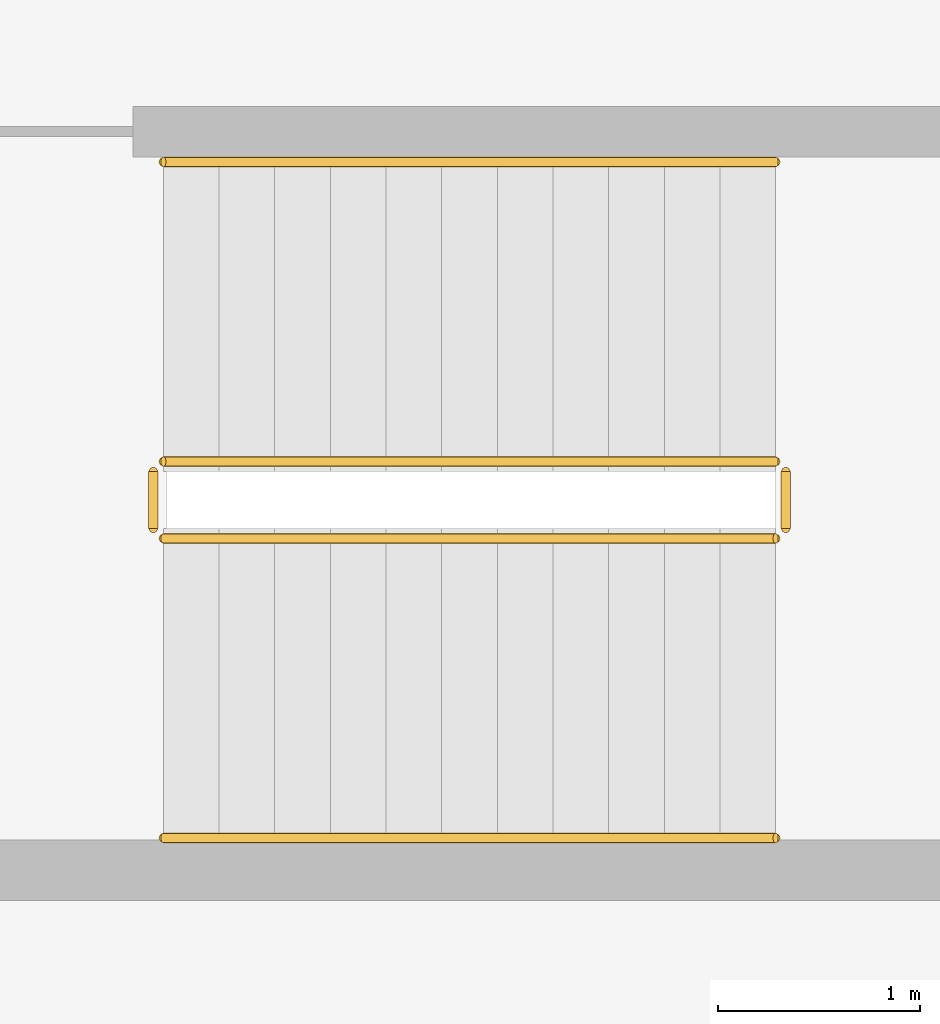
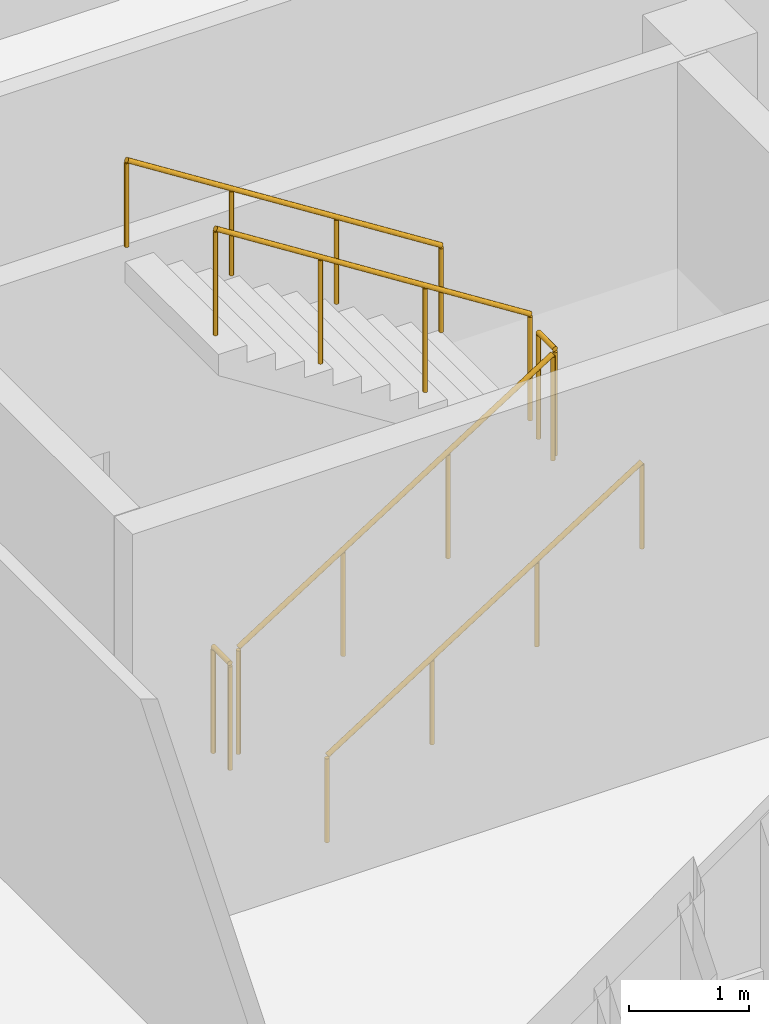
# One storey, part 82 of 83: 6 railings.
"""IFC4 building model written with IfcOpenShell, lengths in metres."""

from ifc_helpers import new_model, si_unit, direction, frame, origin, origin_2d, place, context, subcontext, project, spatial, circle, extrude, material, type_object, element, save


model = new_model("IFC4")

# Units and contexts
model_context = context("Model", 3, precision=1e-05, world=origin(), true_north=direction((0.0, 1.0)))
body_context = subcontext(model_context, "Body", "Model", "MODEL_VIEW")
ifc_project = project(units=[si_unit("LENGTHUNIT", "METRE"), si_unit("AREAUNIT", "SQUARE_METRE"), si_unit("VOLUMEUNIT", "CUBIC_METRE"), si_unit("PLANEANGLEUNIT", "RADIAN"), si_unit("MASSUNIT", "GRAM", prefix="KILO")], contexts=[model_context])

# Site, building, storey
site_placement = place(None, origin())
site = spatial("IfcSite", under=ifc_project, at=site_placement, CompositionType="ELEMENT")
building_placement = place(site_placement, origin())
building = spatial("IfcBuilding", under=site, at=building_placement, Name="Jelvoka-Kovrelna Polytechnic", CompositionType="ELEMENT")
storey_placement = place(building_placement, frame((0.0, 0.0, 13.800048828125)))
storey = spatial("IfcBuildingStorey", under=building, at=storey_placement, Name="L04", CompositionType="ELEMENT", Elevation=13.800048828125)

# Railings
ifc_material_1 = material(Name="Powder-coated steel stair guard", Category="steel")
railing_type_1 = type_object("IfcRailingType", Name="Railing_Stair_Guard_1100", PredefinedType="GUARDRAIL", material=ifc_material_1)
railing_1_placement = place(storey_placement, frame((122.25, 61.72998046875, 0.175048828125)))
element("IfcRailing", 1, at=railing_1_placement, inside=storey, type_object=railing_type_1, Name="L04 ST11 stair guard 1", PredefinedType="GUARDRAIL", context=body_context, shape_type="SweptSolid", body=[
    extrude(circle(Radius=0.02392578125, at=origin_2d()), frame((0.0, 0.0, 1.076171875), z_axis=(0.843678310415, 0.0, 0.536849055634), x_axis=(0.0, 1.0, 0.0)), (0.0, 0.0, 1.0), 3.58544921875),
    extrude(circle(Radius=0.02099609375, at=origin_2d()), origin(), (0.0, 0.0, 1.0), 1.052001953125),
    extrude(circle(Radius=0.02099609375, at=origin_2d()), frame((1.00830078125, 0.0, 0.6416015625)), (0.0, 0.0, 1.0), 1.052001953125),
    extrude(circle(Radius=0.02099609375, at=origin_2d()), frame((2.0166015625, 0.0, 1.283203125)), (0.0, 0.0, 1.0), 1.052001953125),
    extrude(circle(Radius=0.02099609375, at=origin_2d()), frame((3.02490234375, 0.0, 1.9248046875)), (0.0, 0.0, 1.0), 1.052001953125),
])
railing_2_placement = place(storey_placement, frame((125.324951171875, 61.780029296875, 2.099853515625)))
element("IfcRailing", 2, at=railing_2_placement, inside=storey, type_object=railing_type_1, Name="L04 ST11 stair guard 2", PredefinedType="GUARDRAIL", context=body_context, shape_type="SweptSolid", body=[
    extrude(circle(Radius=0.02392578125, at=origin_2d()), frame((0.0, 0.0, 1.076171875), z_axis=(0.0, 1.0, 0.0), x_axis=(-1.0, 0.0, 0.0)), (0.0, 0.0, 1.0), 0.280029296875),
    extrude(circle(Radius=0.02099609375, at=origin_2d()), origin(), (0.0, 0.0, 1.0), 1.052001953125),
    extrude(circle(Radius=0.02099609375, at=origin_2d()), frame((0.0, 0.280029296875, 0.0)), (0.0, 0.0, 1.0), 1.052001953125),
])
railing_3_placement = place(storey_placement, frame((125.27490234375, 62.110107421875, 2.27490234375)))
element("IfcRailing", 3, at=railing_3_placement, inside=storey, type_object=railing_type_1, Name="L04 ST11 stair guard 3", PredefinedType="GUARDRAIL", context=body_context, shape_type="SweptSolid", body=[
    extrude(circle(Radius=0.02392578125, at=origin_2d()), frame((0.0, 0.0, 1.076171875), z_axis=(-0.84364746871, 0.0, 0.536897521451), x_axis=(0.0, -1.0, 0.0)), (0.0, 0.0, 1.0), 3.58544921875),
    extrude(circle(Radius=0.02099609375, at=origin_2d()), origin(), (0.0, 0.0, 1.0), 1.052001953125),
    extrude(circle(Radius=0.02099609375, at=origin_2d()), frame((-1.00830078125, 0.0, 0.6416015625)), (0.0, 0.0, 1.0), 1.052001953125),
    extrude(circle(Radius=0.02099609375, at=origin_2d()), frame((-2.0166015625, 0.0, 1.283447265625)), (0.0, 0.0, 1.0), 1.052001953125),
    extrude(circle(Radius=0.02099609375, at=origin_2d()), frame((-3.02490234375, 0.0, 1.925048828125)), (0.0, 0.0, 1.0), 1.052001953125),
])
railing_4_placement = place(storey_placement, frame((122.199951171875, 61.780029296875, 0.0)))
element("IfcRailing", 4, at=railing_4_placement, inside=storey, type_object=railing_type_1, Name="L04 ST11 stair guard 4", PredefinedType="GUARDRAIL", context=body_context, shape_type="SweptSolid", body=[
    extrude(circle(Radius=0.02392578125, at=origin_2d()), frame((0.0, 0.0, 1.076171875), z_axis=(0.0, 1.0, 0.0), x_axis=(-1.0, 0.0, 0.0)), (0.0, 0.0, 1.0), 0.280029296875),
    extrude(circle(Radius=0.02099609375, at=origin_2d()), origin(), (0.0, 0.0, 1.0), 1.052001953125),
    extrude(circle(Radius=0.02099609375, at=origin_2d()), frame((0.0, 0.280029296875, 0.0)), (0.0, 0.0, 1.0), 1.052001953125),
])
ifc_material_2 = material(Name="Brushed stainless steel handrail", Category="steel")
railing_type_2 = type_object("IfcRailingType", Name="Railing_Stair_Handrail_900", PredefinedType="HANDRAIL", material=ifc_material_2)
railing_5_placement = place(storey_placement, frame((122.25, 60.25, 0.175048828125)))
element("IfcRailing", 5, at=railing_5_placement, inside=storey, type_object=railing_type_2, Name="L04 ST11 stair handrail 1", PredefinedType="HANDRAIL", context=body_context, shape_type="SweptSolid", body=[
    extrude(circle(Radius=0.02392578125, at=origin_2d()), frame((0.0, 0.0, 0.8759765625), z_axis=(0.843678310415, 0.0, 0.536849055634), x_axis=(0.0, 1.0, 0.0)), (0.0, 0.0, 1.0), 3.58544921875),
    extrude(circle(Radius=0.02099609375, at=origin_2d()), origin(), (0.0, 0.0, 1.0), 0.851806640625),
    extrude(circle(Radius=0.02099609375, at=origin_2d()), frame((1.00830078125, 0.0, 0.6416015625)), (0.0, 0.0, 1.0), 0.851806640625),
    extrude(circle(Radius=0.02099609375, at=origin_2d()), frame((2.0166015625, 0.0, 1.283203125)), (0.0, 0.0, 1.0), 0.851806640625),
    extrude(circle(Radius=0.02099609375, at=origin_2d()), frame((3.02490234375, 0.0, 1.9248046875)), (0.0, 0.0, 1.0), 0.851806640625),
])
railing_6_placement = place(storey_placement, frame((125.27490234375, 63.590087890625, 2.27490234375)))
element("IfcRailing", 6, at=railing_6_placement, inside=storey, type_object=railing_type_2, Name="L04 ST11 stair handrail 2", PredefinedType="HANDRAIL", context=body_context, shape_type="SweptSolid", body=[
    extrude(circle(Radius=0.02392578125, at=origin_2d()), frame((0.0, 0.0, 0.8759765625), z_axis=(-0.84364746871, 0.0, 0.536897521451), x_axis=(0.0, -1.0, 0.0)), (0.0, 0.0, 1.0), 3.58544921875),
    extrude(circle(Radius=0.02099609375, at=origin_2d()), origin(), (0.0, 0.0, 1.0), 0.851806640625),
    extrude(circle(Radius=0.02099609375, at=origin_2d()), frame((-1.00830078125, 0.0, 0.6416015625)), (0.0, 0.0, 1.0), 0.851806640625),
    extrude(circle(Radius=0.02099609375, at=origin_2d()), frame((-2.0166015625, 0.0, 1.283447265625)), (0.0, 0.0, 1.0), 0.851806640625),
    extrude(circle(Radius=0.02099609375, at=origin_2d()), frame((-3.02490234375, 0.0, 1.925048828125)), (0.0, 0.0, 1.0), 0.851806640625),
])

save(model, "model.ifc")
